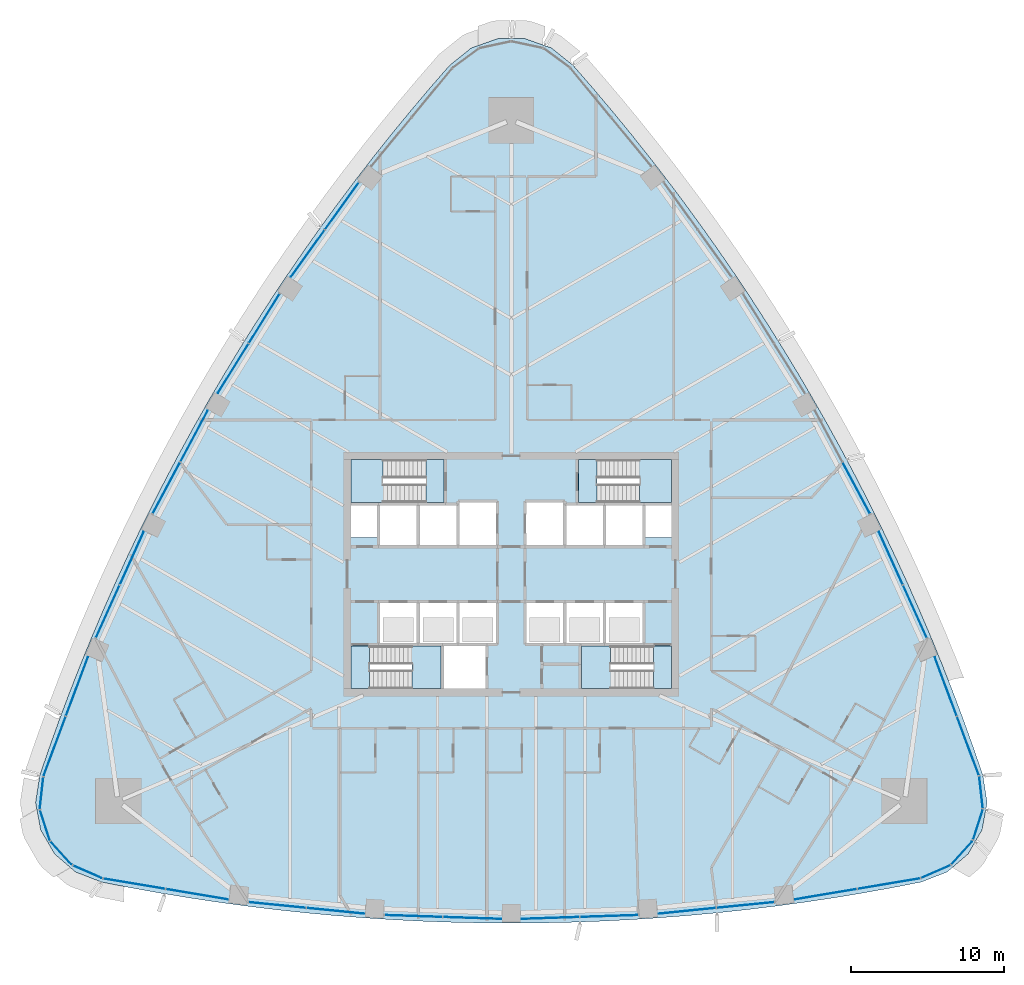
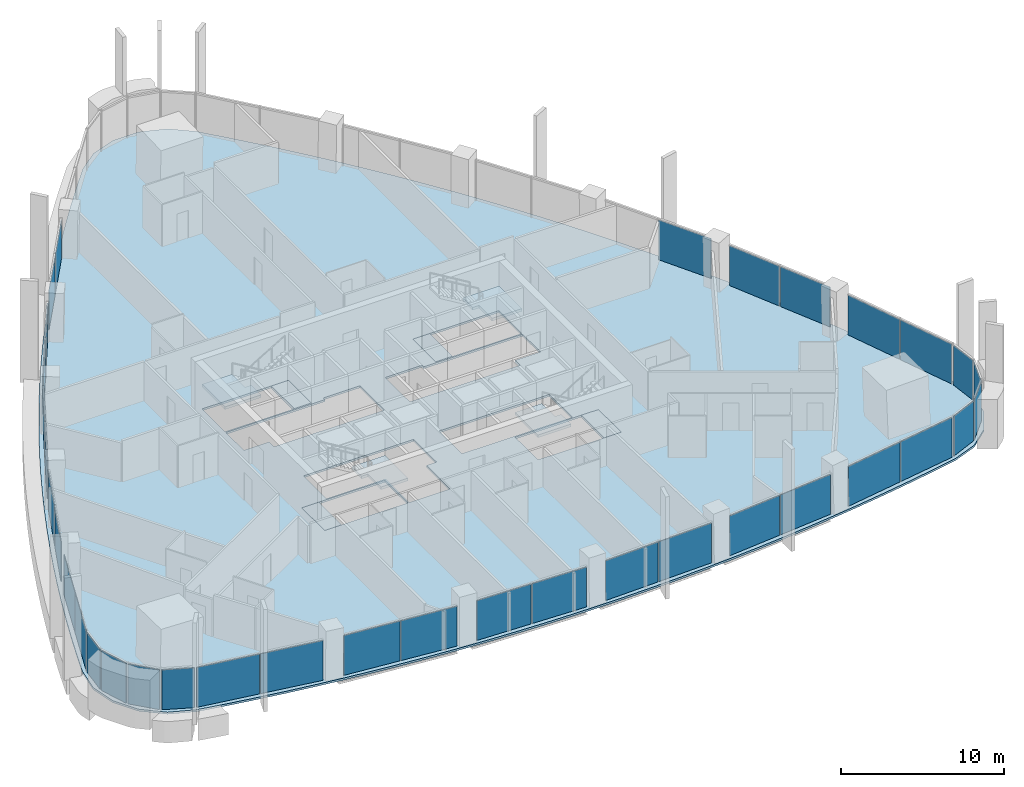
# One storey, part 8 of 22: 35 plates, 9 slabs, 26 elements without a shape of their own.
"""IFC4 building model written with IfcOpenShell, lengths in metres."""

from ifc_helpers import new_model, si_unit, direction, frame, origin, origin_2d, place, context, subcontext, project, spatial, polyline, rectangle, outline, extrude, material, layer, layer_set, type_object, element, aggregate, save


model = new_model("IFC4")

# Units and contexts
model_context = context("Model", 3, precision=1e-05, world=origin(), true_north=direction((0.0, 1.0)))
body_context = subcontext(model_context, "Body", "Model", "MODEL_VIEW")
ifc_project = project(units=[si_unit("LENGTHUNIT", "METRE"), si_unit("AREAUNIT", "SQUARE_METRE"), si_unit("VOLUMEUNIT", "CUBIC_METRE"), si_unit("PLANEANGLEUNIT", "RADIAN"), si_unit("MASSUNIT", "GRAM", prefix="KILO")], contexts=[model_context])

# Site, building, storey
site_placement = place(None, origin())
site = spatial("IfcSite", under=ifc_project, at=site_placement, CompositionType="ELEMENT")
building_placement = place(site_placement, origin())
building = spatial("IfcBuilding", under=site, at=building_placement, Name="Sierra Prisma Convention Tower", CompositionType="ELEMENT")
storey_placement = place(building_placement, frame((0.0, 0.0, 96.10009765625)))
storey = spatial("IfcBuildingStorey", under=building, at=storey_placement, Name="L20", CompositionType="ELEMENT", Elevation=96.10009765625)

# Curtain wall, plates
ifc_material_1 = material(Name="Aluminium and glass curtain wall", Category="aluminium")
ifc_layer_1 = layer(ifc_material_1, 0.179931640625)
ifc_layer_set_1 = layer_set([ifc_layer_1], Name="CW-1 Plain shaft curtain wall")
curtain_wall_type = type_object("IfcCurtainWallType", Name="CW-1 Plain shaft curtain wall", PredefinedType="NOTDEFINED", material=ifc_layer_set_1)
curtain_wall_1_placement = place(storey_placement, origin())
curtain_wall_1 = element("IfcCurtainWall", 1, at=curtain_wall_1_placement, inside=storey, type_object=curtain_wall_type, Name="CW-1 S1 L20", PredefinedType="NOTDEFINED")
ifc_material_2 = material(Name="Tinted glass bronze-grey IGU", Category="glass")
ifc_layer_2 = layer(ifc_material_2, 0.028076171875)
ifc_layer_set_2 = layer_set([ifc_layer_2], Name="CW-1 glass panel")
plate_type = type_object("IfcPlateType", Name="CW-1 glass panel", PredefinedType="CURTAIN_PANEL", material=ifc_layer_set_2)
plate_1_placement = place(storey_placement, frame((-24.70751953125, -20.27734375, 0.0), z_axis=(0.0, 0.0, 1.0), x_axis=(0.986200049132, -0.165558035421, 0.0)))
plate_1 = element("IfcPlate", 2, at=plate_1_placement, type_object=plate_type, Name="CW-1 panel S1.1", PredefinedType="CURTAIN_PANEL", context=body_context, shape_type="SweptSolid", body=[
    extrude(rectangle(XDim=4.089599609375, YDim=0.028076171875, at=origin_2d()), origin(), (0.0, 0.0, 1.0), 2.97998046875),
])
plate_2_placement = place(storey_placement, frame((-20.60546875, -20.966064453125, 0.0), z_axis=(0.0, 0.0, 1.0), x_axis=(0.986200049132, -0.165558035421, 0.0)))
plate_2 = element("IfcPlate", 3, at=plate_2_placement, type_object=plate_type, Name="CW-1 panel S1.2", PredefinedType="CURTAIN_PANEL", context=body_context, shape_type="SweptSolid", body=[
    extrude(rectangle(XDim=4.089599609375, YDim=0.028076171875, at=origin_2d()), origin(), (0.0, 0.0, 1.0), 2.97998046875),
])
aggregate(curtain_wall_1, [plate_1, plate_2])

curtain_wall_2_placement = place(storey_placement, origin())
curtain_wall_2 = element("IfcCurtainWall", 4, at=curtain_wall_2_placement, inside=storey, type_object=curtain_wall_type, Name="CW-1 S2 L20", PredefinedType="NOTDEFINED")
plate_3_placement = place(storey_placement, frame((-15.342529296875, -21.67431640625, 0.0), z_axis=(0.0, 0.0, 1.0), x_axis=(0.995024680249, -0.099628739306, 0.0)))
plate_3 = element("IfcPlate", 5, at=plate_3_placement, type_object=plate_type, Name="CW-1 panel S2.1", PredefinedType="CURTAIN_PANEL", context=body_context, shape_type="SweptSolid", body=[
    extrude(rectangle(XDim=3.766845703125, YDim=0.028076171875, at=origin_2d()), origin(), (0.0, 0.0, 1.0), 2.97998046875),
])
plate_4_placement = place(storey_placement, frame((-11.524658203125, -22.056640625, 0.0), z_axis=(0.0, 0.0, 1.0), x_axis=(0.995024680249, -0.099628739306, 0.0)))
plate_4 = element("IfcPlate", 6, at=plate_4_placement, type_object=plate_type, Name="CW-1 panel S2.2", PredefinedType="CURTAIN_PANEL", context=body_context, shape_type="SweptSolid", body=[
    extrude(rectangle(XDim=3.766845703125, YDim=0.028076171875, at=origin_2d()), origin(), (0.0, 0.0, 1.0), 2.97998046875),
])
aggregate(curtain_wall_2, [plate_3, plate_4])

curtain_wall_3_placement = place(storey_placement, origin())
curtain_wall_3 = element("IfcCurtainWall", 7, at=curtain_wall_3_placement, inside=storey, type_object=curtain_wall_type, Name="CW-1 S3 L20", PredefinedType="NOTDEFINED")
plate_5_placement = place(storey_placement, frame((-6.4111328125, -22.396728515625, 0.0), z_axis=(0.0, 0.0, 1.0), x_axis=(0.999446778698, -0.033258631213, 0.0)))
plate_5 = element("IfcPlate", 8, at=plate_5_placement, type_object=plate_type, Name="CW-1 panel S3.1", PredefinedType="CURTAIN_PANEL", context=body_context, shape_type="SweptSolid", body=[
    extrude(rectangle(XDim=3.782958984375, YDim=0.028076171875, at=origin_2d()), origin(), (0.0, 0.0, 1.0), 2.97998046875),
])
plate_6_placement = place(storey_placement, frame((-2.56005859375, -22.52490234375, 0.0), z_axis=(0.0, 0.0, 1.0), x_axis=(0.999446778698, -0.033258631213, 0.0)))
plate_6 = element("IfcPlate", 9, at=plate_6_placement, type_object=plate_type, Name="CW-1 panel S3.2", PredefinedType="CURTAIN_PANEL", context=body_context, shape_type="SweptSolid", body=[
    extrude(rectangle(XDim=3.782958984375, YDim=0.028076171875, at=origin_2d()), origin(), (0.0, 0.0, 1.0), 2.97998046875),
])
aggregate(curtain_wall_3, [plate_5, plate_6])

curtain_wall_4_placement = place(storey_placement, origin())
curtain_wall_4 = element("IfcCurtainWall", 10, at=curtain_wall_4_placement, inside=storey, type_object=curtain_wall_type, Name="CW-1 S4 L20", PredefinedType="NOTDEFINED")
plate_7_placement = place(storey_placement, frame((2.56005859375, -22.52490234375, 0.0), z_axis=(0.0, 0.0, 1.0), x_axis=(0.999446778698, 0.033258631213, 0.0)))
plate_7 = element("IfcPlate", 11, at=plate_7_placement, type_object=plate_type, Name="CW-1 panel S4.1", PredefinedType="CURTAIN_PANEL", context=body_context, shape_type="SweptSolid", body=[
    extrude(rectangle(XDim=3.782958984375, YDim=0.028076171875, at=origin_2d()), origin(), (0.0, 0.0, 1.0), 2.97998046875),
])
plate_8_placement = place(storey_placement, frame((6.4111328125, -22.396728515625, 0.0), z_axis=(0.0, 0.0, 1.0), x_axis=(0.999446778698, 0.033258631213, 0.0)))
plate_8 = element("IfcPlate", 12, at=plate_8_placement, type_object=plate_type, Name="CW-1 panel S4.2", PredefinedType="CURTAIN_PANEL", context=body_context, shape_type="SweptSolid", body=[
    extrude(rectangle(XDim=3.782958984375, YDim=0.028076171875, at=origin_2d()), origin(), (0.0, 0.0, 1.0), 2.97998046875),
])
aggregate(curtain_wall_4, [plate_7, plate_8])

curtain_wall_5_placement = place(storey_placement, origin())
curtain_wall_5 = element("IfcCurtainWall", 13, at=curtain_wall_5_placement, inside=storey, type_object=curtain_wall_type, Name="CW-1 S5 L20", PredefinedType="NOTDEFINED")
plate_9_placement = place(storey_placement, frame((11.524658203125, -22.056640625, 0.0), z_axis=(0.0, 0.0, 1.0), x_axis=(0.995024680249, 0.099628739306, 0.0)))
plate_9 = element("IfcPlate", 14, at=plate_9_placement, type_object=plate_type, Name="CW-1 panel S5.1", PredefinedType="CURTAIN_PANEL", context=body_context, shape_type="SweptSolid", body=[
    extrude(rectangle(XDim=3.766845703125, YDim=0.028076171875, at=origin_2d()), origin(), (0.0, 0.0, 1.0), 2.97998046875),
])
plate_10_placement = place(storey_placement, frame((15.342529296875, -21.67431640625, 0.0), z_axis=(0.0, 0.0, 1.0), x_axis=(0.995024680249, 0.099628739306, 0.0)))
plate_10 = element("IfcPlate", 15, at=plate_10_placement, type_object=plate_type, Name="CW-1 panel S5.2", PredefinedType="CURTAIN_PANEL", context=body_context, shape_type="SweptSolid", body=[
    extrude(rectangle(XDim=3.766845703125, YDim=0.028076171875, at=origin_2d()), origin(), (0.0, 0.0, 1.0), 2.97998046875),
])
aggregate(curtain_wall_5, [plate_9, plate_10])

curtain_wall_6_placement = place(storey_placement, origin())
curtain_wall_6 = element("IfcCurtainWall", 16, at=curtain_wall_6_placement, inside=storey, type_object=curtain_wall_type, Name="CW-1 S6 L20", PredefinedType="NOTDEFINED")
plate_11_placement = place(storey_placement, frame((20.60546875, -20.966064453125, 0.0), z_axis=(0.0, 0.0, 1.0), x_axis=(0.986200049132, 0.165558035421, 0.0)))
plate_11 = element("IfcPlate", 17, at=plate_11_placement, type_object=plate_type, Name="CW-1 panel S6.1", PredefinedType="CURTAIN_PANEL", context=body_context, shape_type="SweptSolid", body=[
    extrude(rectangle(XDim=4.089599609375, YDim=0.028076171875, at=origin_2d()), origin(), (0.0, 0.0, 1.0), 2.97998046875),
])
plate_12_placement = place(storey_placement, frame((24.70751953125, -20.27734375, 0.0), z_axis=(0.0, 0.0, 1.0), x_axis=(0.986200049132, 0.165558035421, 0.0)))
plate_12 = element("IfcPlate", 18, at=plate_12_placement, type_object=plate_type, Name="CW-1 panel S6.2", PredefinedType="CURTAIN_PANEL", context=body_context, shape_type="SweptSolid", body=[
    extrude(rectangle(XDim=4.089599609375, YDim=0.028076171875, at=origin_2d()), origin(), (0.0, 0.0, 1.0), 2.97998046875),
])
aggregate(curtain_wall_6, [plate_11, plate_12])

# Curtain wall, plate
curtain_wall_7_placement = place(storey_placement, origin())
curtain_wall_7 = element("IfcCurtainWall", 19, at=curtain_wall_7_placement, inside=storey, type_object=curtain_wall_type, Name="CW-1 SE1 L20", PredefinedType="NOTDEFINED")
plate_13_placement = place(storey_placement, frame((27.785888671875, -19.494140625, 0.0), z_axis=(0.0, 0.0, 1.0), x_axis=(0.916525543728, 0.399976158907, 0.0)))
plate_13 = element("IfcPlate", 20, at=plate_13_placement, type_object=plate_type, Name="CW-1 panel SE1.1", PredefinedType="CURTAIN_PANEL", context=body_context, shape_type="SweptSolid", body=[
    extrude(rectangle(XDim=2.0263671875, YDim=0.028076171875, at=origin_2d()), origin(), (0.0, 0.0, 1.0), 2.97998046875),
])
aggregate(curtain_wall_7, [plate_13])

curtain_wall_8_placement = place(storey_placement, origin())
curtain_wall_8 = element("IfcCurtainWall", 21, at=curtain_wall_8_placement, inside=storey, type_object=curtain_wall_type, Name="CW-1 SE2 L20", PredefinedType="NOTDEFINED")
plate_14_placement = place(storey_placement, frame((29.50537109375, -18.257568359375, 0.0), z_axis=(0.0, 0.0, 1.0), x_axis=(0.670958739676, 0.741494686193, 0.0)))
plate_14 = element("IfcPlate", 22, at=plate_14_placement, type_object=plate_type, Name="CW-1 panel SE2.1", PredefinedType="CURTAIN_PANEL", context=body_context, shape_type="SweptSolid", body=[
    extrude(rectangle(XDim=2.0263671875, YDim=0.028076171875, at=origin_2d()), origin(), (0.0, 0.0, 1.0), 2.97998046875),
])
aggregate(curtain_wall_8, [plate_14])

curtain_wall_9_placement = place(storey_placement, origin())
curtain_wall_9 = element("IfcCurtainWall", 23, at=curtain_wall_9_placement, inside=storey, type_object=curtain_wall_type, Name="CW-1 SE3 L20", PredefinedType="NOTDEFINED")
plate_15_placement = place(storey_placement, frame((30.564208984375, -16.423583984375, 0.0), z_axis=(0.0, 0.0, 1.0), x_axis=(0.306673865177, 0.951814656547, 0.0)))
plate_15 = element("IfcPlate", 24, at=plate_15_placement, type_object=plate_type, Name="CW-1 panel SE3.1", PredefinedType="CURTAIN_PANEL", context=body_context, shape_type="SweptSolid", body=[
    extrude(rectangle(XDim=2.0263671875, YDim=0.028076171875, at=origin_2d()), origin(), (0.0, 0.0, 1.0), 2.97998046875),
])
aggregate(curtain_wall_9, [plate_15])

curtain_wall_10_placement = place(storey_placement, origin())
curtain_wall_10 = element("IfcCurtainWall", 25, at=curtain_wall_10_placement, inside=storey, type_object=curtain_wall_type, Name="CW-1 SE4 L20", PredefinedType="NOTDEFINED")
plate_16_placement = place(storey_placement, frame((30.775390625, -14.316162109375, 0.0), z_axis=(0.0, 0.0, 1.0), x_axis=(-0.111873257343, 0.993722483539, 0.0)))
plate_16 = element("IfcPlate", 26, at=plate_16_placement, type_object=plate_type, Name="CW-1 panel SE4.1", PredefinedType="CURTAIN_PANEL", context=body_context, shape_type="SweptSolid", body=[
    extrude(rectangle(XDim=2.0263671875, YDim=0.028076171875, at=origin_2d()), origin(), (0.0, 0.0, 1.0), 2.97998046875),
])
aggregate(curtain_wall_10, [plate_16])

# Curtain wall, plates
curtain_wall_11_placement = place(storey_placement, origin())
curtain_wall_11 = element("IfcCurtainWall", 27, at=curtain_wall_11_placement, inside=storey, type_object=curtain_wall_type, Name="CW-1 NE1 L20", PredefinedType="NOTDEFINED")
plate_17_placement = place(storey_placement, frame((29.91455078125, -11.2587890625, 0.0), z_axis=(0.0, 0.0, 1.0), x_axis=(-0.34972256009, 0.936853313472, 0.0)))
plate_17 = element("IfcPlate", 28, at=plate_17_placement, type_object=plate_type, Name="CW-1 panel NE1.1", PredefinedType="CURTAIN_PANEL", context=body_context, shape_type="SweptSolid", body=[
    extrude(rectangle(XDim=4.089599609375, YDim=0.028076171875, at=origin_2d()), origin(), (0.0, 0.0, 1.0), 2.97998046875),
])
plate_18_placement = place(storey_placement, frame((28.4599609375, -7.36181640625, 0.0), z_axis=(0.0, 0.0, 1.0), x_axis=(-0.34972256009, 0.936853313472, 0.0)))
plate_18 = element("IfcPlate", 29, at=plate_18_placement, type_object=plate_type, Name="CW-1 panel NE1.2", PredefinedType="CURTAIN_PANEL", context=body_context, shape_type="SweptSolid", body=[
    extrude(rectangle(XDim=4.089599609375, YDim=0.028076171875, at=origin_2d()), origin(), (0.0, 0.0, 1.0), 2.97998046875),
])
aggregate(curtain_wall_11, [plate_17, plate_18])

curtain_wall_12_placement = place(storey_placement, origin())
curtain_wall_12 = element("IfcCurtainWall", 30, at=curtain_wall_12_placement, inside=storey, type_object=curtain_wall_type, Name="CW-1 NE2 L20", PredefinedType="NOTDEFINED")
plate_19_placement = place(storey_placement, frame((26.44189453125, -2.449951171875, 0.0), z_axis=(0.0, 0.0, 1.0), x_axis=(-0.411231320939, 0.911531020141, 0.0)))
plate_19 = element("IfcPlate", 31, at=plate_19_placement, type_object=plate_type, Name="CW-1 panel NE2.1", PredefinedType="CURTAIN_PANEL", context=body_context, shape_type="SweptSolid", body=[
    extrude(rectangle(XDim=3.76708984375, YDim=0.028076171875, at=origin_2d()), origin(), (0.0, 0.0, 1.0), 2.97998046875),
])
plate_20_placement = place(storey_placement, frame((24.864013671875, 1.047607421875, 0.0), z_axis=(0.0, 0.0, 1.0), x_axis=(-0.411231320939, 0.911531020141, 0.0)))
plate_20 = element("IfcPlate", 32, at=plate_20_placement, type_object=plate_type, Name="CW-1 panel NE2.2", PredefinedType="CURTAIN_PANEL", context=body_context, shape_type="SweptSolid", body=[
    extrude(rectangle(XDim=3.76708984375, YDim=0.028076171875, at=origin_2d()), origin(), (0.0, 0.0, 1.0), 2.97998046875),
])
aggregate(curtain_wall_12, [plate_19, plate_20])

# Curtain wall, plate
curtain_wall_13_placement = place(storey_placement, origin())
curtain_wall_13 = element("IfcCurtainWall", 33, at=curtain_wall_13_placement, inside=storey, type_object=curtain_wall_type, Name="CW-1 NE3 L20", PredefinedType="NOTDEFINED")
plate_21_placement = place(storey_placement, frame((22.6015625, 5.64599609375, 0.0), z_axis=(0.0, 0.0, 1.0), x_axis=(-0.470920569823, 0.882175615689, 0.0)))
plate_21 = element("IfcPlate", 34, at=plate_21_placement, type_object=plate_type, Name="CW-1 panel NE3.1", PredefinedType="CURTAIN_PANEL", context=body_context, shape_type="SweptSolid", body=[
    extrude(rectangle(XDim=3.783203125, YDim=0.028076171875, at=origin_2d()), origin(), (0.0, 0.0, 1.0), 2.97998046875),
])
aggregate(curtain_wall_13, [plate_21])

# Curtain wall, plates
curtain_wall_14_placement = place(storey_placement, origin())
curtain_wall_14 = element("IfcCurtainWall", 35, at=curtain_wall_14_placement, inside=storey, type_object=curtain_wall_type, Name="CW-1 NW2 L20", PredefinedType="NOTDEFINED")
plate_22_placement = place(storey_placement, frame((-11.099365234375, 24.124267578125, 0.0), z_axis=(0.0, 0.0, 1.0), x_axis=(-0.58379335931, -0.811902280835, 0.0)))
plate_22 = element("IfcPlate", 36, at=plate_22_placement, type_object=plate_type, Name="CW-1 panel NW2.1", PredefinedType="CURTAIN_PANEL", context=body_context, shape_type="SweptSolid", body=[
    extrude(rectangle(XDim=3.766845703125, YDim=0.028076171875, at=origin_2d()), origin(), (0.0, 0.0, 1.0), 2.97998046875),
])
plate_23_placement = place(storey_placement, frame((-13.33935546875, 21.009033203125, 0.0), z_axis=(0.0, 0.0, 1.0), x_axis=(-0.58379335931, -0.811902280835, 0.0)))
plate_23 = element("IfcPlate", 37, at=plate_23_placement, type_object=plate_type, Name="CW-1 panel NW2.2", PredefinedType="CURTAIN_PANEL", context=body_context, shape_type="SweptSolid", body=[
    extrude(rectangle(XDim=3.766845703125, YDim=0.028076171875, at=origin_2d()), origin(), (0.0, 0.0, 1.0), 2.97998046875),
])
aggregate(curtain_wall_14, [plate_22, plate_23])

curtain_wall_15_placement = place(storey_placement, origin())
curtain_wall_15 = element("IfcCurtainWall", 38, at=curtain_wall_15_placement, inside=storey, type_object=curtain_wall_type, Name="CW-1 NW3 L20", PredefinedType="NOTDEFINED")
plate_24_placement = place(storey_placement, frame((-16.190673828125, 16.75048828125, 0.0), z_axis=(0.0, 0.0, 1.0), x_axis=(-0.528526208875, -0.848916984477, 0.0)))
plate_24 = element("IfcPlate", 39, at=plate_24_placement, type_object=plate_type, Name="CW-1 panel NW3.1", PredefinedType="CURTAIN_PANEL", context=body_context, shape_type="SweptSolid", body=[
    extrude(rectangle(XDim=3.782958984375, YDim=0.028076171875, at=origin_2d()), origin(), (0.0, 0.0, 1.0), 2.97998046875),
])
plate_25_placement = place(storey_placement, frame((-18.22705078125, 13.4794921875, 0.0), z_axis=(0.0, 0.0, 1.0), x_axis=(-0.528526208875, -0.848916984477, 0.0)))
plate_25 = element("IfcPlate", 40, at=plate_25_placement, type_object=plate_type, Name="CW-1 panel NW3.2", PredefinedType="CURTAIN_PANEL", context=body_context, shape_type="SweptSolid", body=[
    extrude(rectangle(XDim=3.782958984375, YDim=0.028076171875, at=origin_2d()), origin(), (0.0, 0.0, 1.0), 2.97998046875),
])
aggregate(curtain_wall_15, [plate_24, plate_25])

curtain_wall_16_placement = place(storey_placement, origin())
curtain_wall_16 = element("IfcCurtainWall", 41, at=curtain_wall_16_placement, inside=storey, type_object=curtain_wall_type, Name="CW-1 NW4 L20", PredefinedType="NOTDEFINED")
plate_26_placement = place(storey_placement, frame((-20.787109375, 9.045166015625, 0.0), z_axis=(0.0, 0.0, 1.0), x_axis=(-0.470920569823, -0.882175615689, 0.0)))
plate_26 = element("IfcPlate", 42, at=plate_26_placement, type_object=plate_type, Name="CW-1 panel NW4.1", PredefinedType="CURTAIN_PANEL", context=body_context, shape_type="SweptSolid", body=[
    extrude(rectangle(XDim=3.782958984375, YDim=0.028076171875, at=origin_2d()), origin(), (0.0, 0.0, 1.0), 2.97998046875),
])
plate_27_placement = place(storey_placement, frame((-22.6015625, 5.646240234375, 0.0), z_axis=(0.0, 0.0, 1.0), x_axis=(-0.470920569823, -0.882175615689, 0.0)))
plate_27 = element("IfcPlate", 43, at=plate_27_placement, type_object=plate_type, Name="CW-1 panel NW4.2", PredefinedType="CURTAIN_PANEL", context=body_context, shape_type="SweptSolid", body=[
    extrude(rectangle(XDim=3.782958984375, YDim=0.028076171875, at=origin_2d()), origin(), (0.0, 0.0, 1.0), 2.97998046875),
])
aggregate(curtain_wall_16, [plate_26, plate_27])

curtain_wall_17_placement = place(storey_placement, origin())
curtain_wall_17 = element("IfcCurtainWall", 44, at=curtain_wall_17_placement, inside=storey, type_object=curtain_wall_type, Name="CW-1 NW5 L20", PredefinedType="NOTDEFINED")
plate_28_placement = place(storey_placement, frame((-24.864013671875, 1.047607421875, 0.0), z_axis=(0.0, 0.0, 1.0), x_axis=(-0.411231320939, -0.911531020141, 0.0)))
plate_28 = element("IfcPlate", 45, at=plate_28_placement, type_object=plate_type, Name="CW-1 panel NW5.1", PredefinedType="CURTAIN_PANEL", context=body_context, shape_type="SweptSolid", body=[
    extrude(rectangle(XDim=3.766845703125, YDim=0.028076171875, at=origin_2d()), origin(), (0.0, 0.0, 1.0), 2.97998046875),
])
plate_29_placement = place(storey_placement, frame((-26.44189453125, -2.44970703125, 0.0), z_axis=(0.0, 0.0, 1.0), x_axis=(-0.411231320939, -0.911531020141, 0.0)))
plate_29 = element("IfcPlate", 46, at=plate_29_placement, type_object=plate_type, Name="CW-1 panel NW5.2", PredefinedType="CURTAIN_PANEL", context=body_context, shape_type="SweptSolid", body=[
    extrude(rectangle(XDim=3.766845703125, YDim=0.028076171875, at=origin_2d()), origin(), (0.0, 0.0, 1.0), 2.97998046875),
])
aggregate(curtain_wall_17, [plate_28, plate_29])

curtain_wall_18_placement = place(storey_placement, origin())
curtain_wall_18 = element("IfcCurtainWall", 47, at=curtain_wall_18_placement, inside=storey, type_object=curtain_wall_type, Name="CW-1 NW6 L20", PredefinedType="NOTDEFINED")
plate_30_placement = place(storey_placement, frame((-28.4599609375, -7.36181640625, 0.0), z_axis=(0.0, 0.0, 1.0), x_axis=(-0.34972256009, -0.936853313472, 0.0)))
plate_30 = element("IfcPlate", 48, at=plate_30_placement, type_object=plate_type, Name="CW-1 panel NW6.1", PredefinedType="CURTAIN_PANEL", context=body_context, shape_type="SweptSolid", body=[
    extrude(rectangle(XDim=4.089599609375, YDim=0.028076171875, at=origin_2d()), origin(), (0.0, 0.0, 1.0), 2.97998046875),
])
plate_31_placement = place(storey_placement, frame((-29.91455078125, -11.2587890625, 0.0), z_axis=(0.0, 0.0, 1.0), x_axis=(-0.34972256009, -0.936853313472, 0.0)))
plate_31 = element("IfcPlate", 49, at=plate_31_placement, type_object=plate_type, Name="CW-1 panel NW6.2", PredefinedType="CURTAIN_PANEL", context=body_context, shape_type="SweptSolid", body=[
    extrude(rectangle(XDim=4.089599609375, YDim=0.028076171875, at=origin_2d()), origin(), (0.0, 0.0, 1.0), 2.97998046875),
])
aggregate(curtain_wall_18, [plate_30, plate_31])

# Curtain wall, plate
curtain_wall_19_placement = place(storey_placement, origin())
curtain_wall_19 = element("IfcCurtainWall", 50, at=curtain_wall_19_placement, inside=storey, type_object=curtain_wall_type, Name="CW-1 SW1 L20", PredefinedType="NOTDEFINED")
plate_32_placement = place(storey_placement, frame((-30.775390625, -14.316162109375, 0.0), z_axis=(0.0, 0.0, 1.0), x_axis=(-0.111873257343, -0.993722483539, 0.0)))
plate_32 = element("IfcPlate", 51, at=plate_32_placement, type_object=plate_type, Name="CW-1 panel SW1.1", PredefinedType="CURTAIN_PANEL", context=body_context, shape_type="SweptSolid", body=[
    extrude(rectangle(XDim=2.0263671875, YDim=0.028076171875, at=origin_2d()), origin(), (0.0, 0.0, 1.0), 2.97998046875),
])
aggregate(curtain_wall_19, [plate_32])

curtain_wall_20_placement = place(storey_placement, origin())
curtain_wall_20 = element("IfcCurtainWall", 52, at=curtain_wall_20_placement, inside=storey, type_object=curtain_wall_type, Name="CW-1 SW2 L20", PredefinedType="NOTDEFINED")
plate_33_placement = place(storey_placement, frame((-30.564208984375, -16.423583984375, 0.0), z_axis=(0.0, 0.0, 1.0), x_axis=(0.306673865177, -0.951814656547, 0.0)))
plate_33 = element("IfcPlate", 53, at=plate_33_placement, type_object=plate_type, Name="CW-1 panel SW2.1", PredefinedType="CURTAIN_PANEL", context=body_context, shape_type="SweptSolid", body=[
    extrude(rectangle(XDim=2.0263671875, YDim=0.028076171875, at=origin_2d()), origin(), (0.0, 0.0, 1.0), 2.97998046875),
])
aggregate(curtain_wall_20, [plate_33])

curtain_wall_21_placement = place(storey_placement, origin())
curtain_wall_21 = element("IfcCurtainWall", 54, at=curtain_wall_21_placement, inside=storey, type_object=curtain_wall_type, Name="CW-1 SW3 L20", PredefinedType="NOTDEFINED")
plate_34_placement = place(storey_placement, frame((-29.50537109375, -18.257568359375, 0.0), z_axis=(0.0, 0.0, 1.0), x_axis=(0.670958739676, -0.741494686193, 0.0)))
plate_34 = element("IfcPlate", 55, at=plate_34_placement, type_object=plate_type, Name="CW-1 panel SW3.1", PredefinedType="CURTAIN_PANEL", context=body_context, shape_type="SweptSolid", body=[
    extrude(rectangle(XDim=2.0263671875, YDim=0.028076171875, at=origin_2d()), origin(), (0.0, 0.0, 1.0), 2.97998046875),
])
aggregate(curtain_wall_21, [plate_34])

curtain_wall_22_placement = place(storey_placement, origin())
curtain_wall_22 = element("IfcCurtainWall", 56, at=curtain_wall_22_placement, inside=storey, type_object=curtain_wall_type, Name="CW-1 SW4 L20", PredefinedType="NOTDEFINED")
plate_35_placement = place(storey_placement, frame((-27.785888671875, -19.494140625, 0.0), z_axis=(0.0, 0.0, 1.0), x_axis=(0.916525543728, -0.399976158907, 0.0)))
plate_35 = element("IfcPlate", 57, at=plate_35_placement, type_object=plate_type, Name="CW-1 panel SW4.1", PredefinedType="CURTAIN_PANEL", context=body_context, shape_type="SweptSolid", body=[
    extrude(rectangle(XDim=2.0263671875, YDim=0.028076171875, at=origin_2d()), origin(), (0.0, 0.0, 1.0), 2.97998046875),
])
aggregate(curtain_wall_22, [plate_35])

# Slab
ifc_material_3 = material(Name="Concrete C35/45", Category="concrete")
ifc_layer_3 = layer(ifc_material_3, 0.14990234375)
ifc_layer_set_3 = layer_set([ifc_layer_3], Name="Composite floor slab 150")
slab_type_1 = type_object("IfcSlabType", Name="Composite floor slab 150", PredefinedType="FLOOR", material=ifc_layer_set_3)
slab_1_placement = place(storey_placement, frame((0.0, 0.0, -0.150146484375)))
element("IfcSlab", 58, at=slab_1_placement, inside=storey, type_object=slab_type_1, Name="Floor slab L20 floor", PredefinedType="FLOOR", context=body_context, shape_type="SweptSolid", body=[
    extrude(outline(polyline([(-26.8427734375, -20.17236328125), (-24.9482421875, -20.54150390625), (-23.048583984375, -20.883544921875), (-21.14453125, -21.19873046875), (-19.23583984375, -21.486572265625), (-17.323486328125, -21.7470703125), (-15.407470703125, -21.98046875), (-13.488525390625, -22.1865234375), (-11.566650390625, -22.364990234375), (-9.642578125, -22.51611328125), (-7.71630859375, -22.639892578125), (-5.78857421875, -22.736083984375), (-3.859619140625, -22.804931640625), (-1.93017578125, -22.84619140625), (0.0, -22.860107421875), (1.93017578125, -22.84619140625), (3.859619140625, -22.804931640625), (5.78857421875, -22.736083984375), (7.71630859375, -22.639892578125), (9.642578125, -22.51611328125), (11.566650390625, -22.364990234375), (13.488525390625, -22.1865234375), (15.407470703125, -21.98046875), (17.323486328125, -21.7470703125), (19.23583984375, -21.486572265625), (21.14453125, -21.19873046875), (23.048583984375, -20.883544921875), (24.9482421875, -20.54150390625), (26.8427734375, -20.17236328125), (28.5419921875, -19.514892578125), (29.926025390625, -18.329833984375), (30.837158203125, -16.751953125), (31.17138671875, -14.960693359375), (30.89111328125, -13.160400390625), (30.263671875, -11.3349609375), (29.610107421875, -9.51904296875), (28.930908203125, -7.71240234375), (28.225830078125, -5.91552734375), (27.495361328125, -4.129150390625), (26.739501953125, -2.35302734375), (25.958251953125, -0.588134765625), (25.152099609375, 1.16552734375), (24.32080078125, 2.907470703125), (23.46484375, 4.637451171875), (22.58447265625, 6.35498046875), (21.679443359375, 8.059814453125), (20.75048828125, 9.751708984375), (19.79736328125, 11.429931640625), (18.8203125, 13.094482421875), (17.81982421875, 14.7451171875), (16.7958984375, 16.381103515625), (15.74853515625, 18.00244140625), (14.678466796875, 19.608642578125), (13.58544921875, 21.199462890625), (12.4697265625, 22.774658203125), (11.331787109375, 24.33349609375), (10.171875, 25.876220703125), (8.989990234375, 27.402099609375), (7.786376953125, 28.910888671875), (6.5615234375, 30.402587890625), (5.3154296875, 31.87646484375), (4.04833984375, 33.33251953125), (2.62939453125, 34.4755859375), (0.9111328125, 35.08154296875), (-0.9111328125, 35.08154296875), (-2.62939453125, 34.4755859375), (-4.04833984375, 33.33251953125), (-5.3154296875, 31.87646484375), (-6.5615234375, 30.402587890625), (-7.786376953125, 28.910888671875), (-8.989990234375, 27.402099609375), (-10.171875, 25.876220703125), (-11.331787109375, 24.33349609375), (-12.4697265625, 22.774658203125), (-13.58544921875, 21.199462890625), (-14.678466796875, 19.608642578125), (-15.74853515625, 18.00244140625), (-16.7958984375, 16.381103515625), (-17.81982421875, 14.7451171875), (-18.8203125, 13.094482421875), (-19.79736328125, 11.429931640625), (-20.75048828125, 9.751708984375), (-21.679443359375, 8.059814453125), (-22.58447265625, 6.35498046875), (-23.46484375, 4.637451171875), (-24.32080078125, 2.907470703125), (-25.152099609375, 1.16552734375), (-25.958251953125, -0.588134765625), (-26.739501953125, -2.35302734375), (-27.495361328125, -4.129150390625), (-28.225830078125, -5.91552734375), (-28.930908203125, -7.71240234375), (-29.610107421875, -9.51904296875), (-30.263671875, -11.3349609375), (-30.89111328125, -13.160400390625), (-31.17138671875, -14.960693359375), (-30.837158203125, -16.751953125), (-29.926025390625, -18.329833984375), (-28.5419921875, -19.514892578125), (-26.8427734375, -20.17236328125)]), holes=[polyline([(-4.60009765625, -7.5), (-10.5, -7.5), (-10.5, -4.699951171875), (-4.60009765625, -4.699951171875), (-4.60009765625, -7.5)]), polyline([(-8.699951171875, -4.60009765625), (-8.699951171875, -1.800048828125), (-6.10009765625, -1.800048828125), (-3.5, -1.800048828125), (-0.89990234375, -1.800048828125), (-0.89990234375, -4.60009765625), (-1.60009765625, -4.60009765625), (-1.60009765625, -7.5), (-4.5, -7.5), (-4.5, -4.60009765625), (-6.10009765625, -4.60009765625), (-8.699951171875, -4.60009765625)]), polyline([(-10.5, 4.60009765625), (-8.699951171875, 4.60009765625), (-6.10009765625, 4.60009765625), (-3.5, 4.60009765625), (-3.5, 4.800048828125), (-0.89990234375, 4.800048828125), (-0.89990234375, 1.800048828125), (-3.5, 1.800048828125), (-6.10009765625, 1.800048828125), (-8.699951171875, 1.800048828125), (-8.699951171875, 2.39990234375), (-10.5, 2.39990234375), (-10.5, 4.60009765625)]), polyline([(-4.39990234375, 4.699951171875), (-10.5, 4.699951171875), (-10.5, 7.5), (-4.39990234375, 7.5), (-4.39990234375, 4.699951171875)]), polyline([(10.5, -7.5), (4.60009765625, -7.5), (4.60009765625, -4.699951171875), (10.5, -4.699951171875), (10.5, -7.5)]), polyline([(6.10009765625, -1.800048828125), (8.699951171875, -1.800048828125), (8.699951171875, -4.60009765625), (6.10009765625, -4.60009765625), (3.5, -4.60009765625), (0.89990234375, -4.60009765625), (0.89990234375, -1.800048828125), (3.5, -1.800048828125), (6.10009765625, -1.800048828125)]), polyline([(10.5, 4.60009765625), (10.5, 2.39990234375), (8.699951171875, 2.39990234375), (8.699951171875, 1.800048828125), (6.10009765625, 1.800048828125), (3.5, 1.800048828125), (0.89990234375, 1.800048828125), (0.89990234375, 4.800048828125), (3.5, 4.800048828125), (3.5, 4.60009765625), (6.10009765625, 4.60009765625), (8.699951171875, 4.60009765625), (10.5, 4.60009765625)]), polyline([(4.39990234375, 4.699951171875), (4.39990234375, 7.5), (10.5, 7.5), (10.5, 4.699951171875), (4.39990234375, 4.699951171875)])]), origin(), (0.0, 0.0, 1.0), 0.150146484375),
])

# Stair, slab
ifc_material_4 = material(Name="Concrete C30/37", Category="concrete")
stair_type = type_object("IfcStairType", Name="Stair dog-leg 1200 RC", PredefinedType="HALF_TURN_STAIR", material=ifc_material_4)
stair_1_placement = place(storey_placement, origin())
stair_1 = element("IfcStair", 59, at=stair_1_placement, inside=storey, type_object=stair_type, Name="L20 S1", PredefinedType="HALF_TURN_STAIR")
ifc_material_5 = material(Name="Concrete C35/45", Category="concrete")
ifc_layer_4 = layer(ifc_material_5, 0.199951171875)
ifc_layer_set_4 = layer_set([ifc_layer_4], Name="Stair landing slab")
slab_type_2 = type_object("IfcSlabType", Name="Stair landing slab", PredefinedType="LANDING", material=ifc_layer_set_4)
slab_2_placement = place(storey_placement, frame((0.0, 0.0, 1.64990234375)))
slab_2 = element("IfcSlab", 60, at=slab_2_placement, type_object=slab_type_2, Name="S1 landing 1", PredefinedType="LANDING", context=body_context, shape_type="SweptSolid", body=[
    extrude(outline(polyline([(-4.60009765625, -4.699951171875), (-4.60009765625, -7.5), (-6.501953125, -7.5), (-6.501953125, -5.89990234375), (-6.949951171875, -5.89990234375), (-6.949951171875, -4.699951171875), (-4.60009765625, -4.699951171875)])), origin(), (0.0, 0.0, 1.0), 0.199951171875),
])
aggregate(stair_1, [slab_2])

# Slab
slab_3_placement = place(storey_placement, frame((0.0, 0.0, -0.2001953125)))
element("IfcSlab", 61, at=slab_3_placement, inside=storey, type_object=slab_type_2, Name="S1 floor landing L20", PredefinedType="LANDING", context=body_context, shape_type="SweptSolid", body=[
    extrude(outline(polyline([(-10.5, -7.5), (-9.298095703125, -7.5), (-9.298095703125, -4.699951171875), (-10.5, -4.699951171875), (-10.5, -7.5)])), origin(), (0.0, 0.0, 1.0), 0.2001953125),
])

# Stair, slab
stair_2_placement = place(storey_placement, origin())
stair_2 = element("IfcStair", 62, at=stair_2_placement, inside=storey, type_object=stair_type, Name="L20 S2", PredefinedType="HALF_TURN_STAIR")
slab_4_placement = place(storey_placement, frame((0.0, 0.0, 1.64990234375)))
slab_4 = element("IfcSlab", 63, at=slab_4_placement, type_object=slab_type_2, Name="S2 landing 1", PredefinedType="LANDING", context=body_context, shape_type="SweptSolid", body=[
    extrude(outline(polyline([(6.949951171875, -6.300048828125), (6.949951171875, -7.5), (4.60009765625, -7.5), (4.60009765625, -4.699951171875), (6.501953125, -4.699951171875), (6.501953125, -6.300048828125), (6.949951171875, -6.300048828125)])), origin(), (0.0, 0.0, 1.0), 0.199951171875),
])
aggregate(stair_2, [slab_4])

# Slab
slab_5_placement = place(storey_placement, frame((0.0, 0.0, -0.2001953125)))
element("IfcSlab", 64, at=slab_5_placement, inside=storey, type_object=slab_type_2, Name="S2 floor landing L20", PredefinedType="LANDING", context=body_context, shape_type="SweptSolid", body=[
    extrude(outline(polyline([(10.5, -4.699951171875), (9.298095703125, -4.699951171875), (9.298095703125, -7.5), (10.5, -7.5), (10.5, -4.699951171875)])), origin(), (0.0, 0.0, 1.0), 0.2001953125),
])

# Stair, slab
stair_3_placement = place(storey_placement, origin())
stair_3 = element("IfcStair", 65, at=stair_3_placement, inside=storey, type_object=stair_type, Name="L20 S3", PredefinedType="HALF_TURN_STAIR")
slab_6_placement = place(storey_placement, frame((0.0, 0.0, 1.64990234375)))
slab_6 = element("IfcSlab", 66, at=slab_6_placement, type_object=slab_type_2, Name="S3 landing 1", PredefinedType="LANDING", context=body_context, shape_type="SweptSolid", body=[
    extrude(outline(polyline([(-7.949951171875, 5.89990234375), (-7.949951171875, 4.699951171875), (-10.5, 4.699951171875), (-10.5, 7.5), (-8.39794921875, 7.5), (-8.39794921875, 5.89990234375), (-7.949951171875, 5.89990234375)])), origin(), (0.0, 0.0, 1.0), 0.199951171875),
])
aggregate(stair_3, [slab_6])

# Slab
slab_7_placement = place(storey_placement, frame((0.0, 0.0, -0.2001953125)))
element("IfcSlab", 67, at=slab_7_placement, inside=storey, type_object=slab_type_2, Name="S3 floor landing L20", PredefinedType="LANDING", context=body_context, shape_type="SweptSolid", body=[
    extrude(outline(polyline([(-4.39990234375, 7.5), (-5.60205078125, 7.5), (-5.60205078125, 4.699951171875), (-4.39990234375, 4.699951171875), (-4.39990234375, 7.5)])), origin(), (0.0, 0.0, 1.0), 0.2001953125),
])

# Stair, slab
stair_4_placement = place(storey_placement, origin())
stair_4 = element("IfcStair", 68, at=stair_4_placement, inside=storey, type_object=stair_type, Name="L20 S4", PredefinedType="HALF_TURN_STAIR")
slab_8_placement = place(storey_placement, frame((0.0, 0.0, 1.64990234375)))
slab_8 = element("IfcSlab", 69, at=slab_8_placement, type_object=slab_type_2, Name="S4 landing 1", PredefinedType="LANDING", context=body_context, shape_type="SweptSolid", body=[
    extrude(outline(polyline([(10.5, 7.5), (10.5, 4.699951171875), (8.39794921875, 4.699951171875), (8.39794921875, 6.300048828125), (7.949951171875, 6.300048828125), (7.949951171875, 7.5), (10.5, 7.5)])), origin(), (0.0, 0.0, 1.0), 0.199951171875),
])
aggregate(stair_4, [slab_8])

# Slab
slab_9_placement = place(storey_placement, frame((0.0, 0.0, -0.2001953125)))
element("IfcSlab", 70, at=slab_9_placement, inside=storey, type_object=slab_type_2, Name="S4 floor landing L20", PredefinedType="LANDING", context=body_context, shape_type="SweptSolid", body=[
    extrude(outline(polyline([(4.39990234375, 4.699951171875), (5.60205078125, 4.699951171875), (5.60205078125, 7.5), (4.39990234375, 7.5), (4.39990234375, 4.699951171875)])), origin(), (0.0, 0.0, 1.0), 0.2001953125),
])

save(model, "model.ifc")
